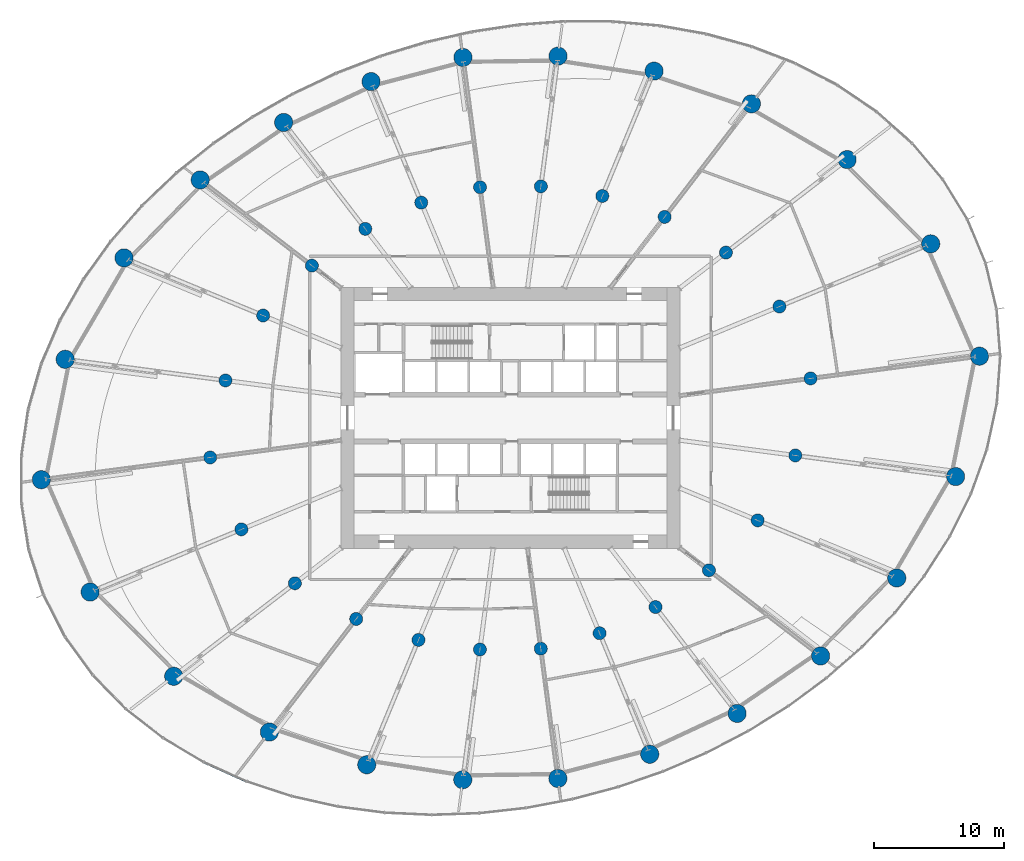
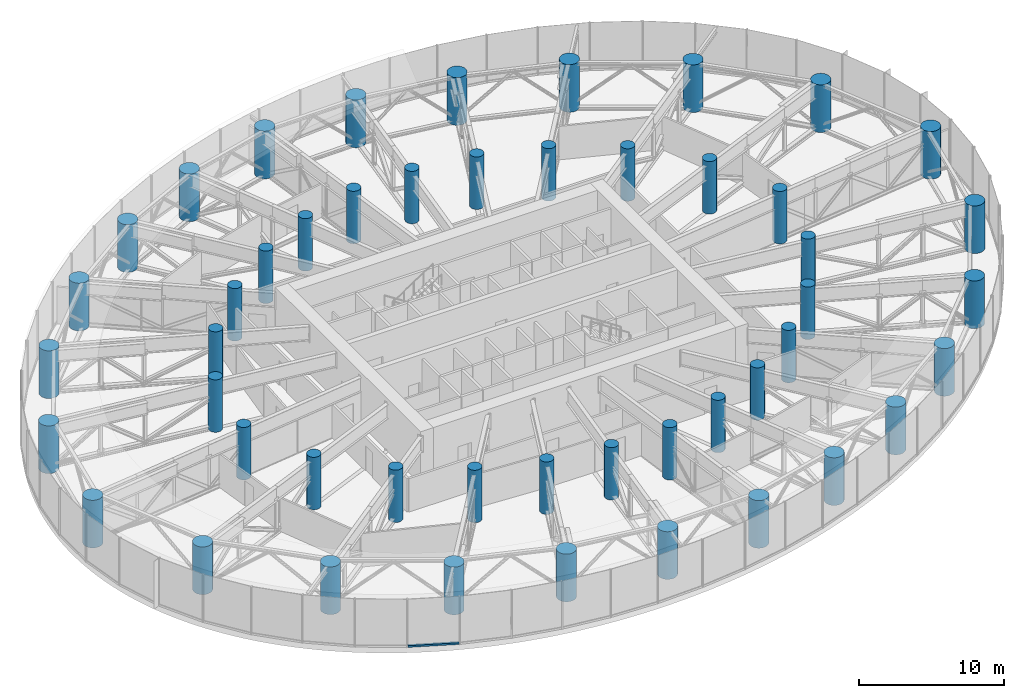
# One storey, part 1 of 42: 48 columns, 1 member, 1 element without a shape of its own.
"""IFC4 building model written with IfcOpenShell, lengths in metres."""

from ifc_helpers import new_model, si_unit, direction, frame, origin, origin_2d, place, context, subcontext, project, spatial, rectangle, circle, extrude, source, transform, mapped, material, layer, layer_set, material_profile, profile_set, type_object, element, aggregate, save


model = new_model("IFC4")

# Units and contexts
model_context = context("Model", 3, precision=1e-05, world=origin(), true_north=direction((0.0, 1.0)))
body_context = subcontext(model_context, "Body", "Model", "MODEL_VIEW")
ifc_project = project(units=[si_unit("LENGTHUNIT", "METRE"), si_unit("AREAUNIT", "SQUARE_METRE"), si_unit("VOLUMEUNIT", "CUBIC_METRE"), si_unit("PLANEANGLEUNIT", "RADIAN"), si_unit("MASSUNIT", "GRAM", prefix="KILO")], contexts=[model_context])

# Site, building, storey
site_placement = place(None, origin())
site = spatial("IfcSite", under=ifc_project, at=site_placement, CompositionType="ELEMENT")
building_placement = place(site_placement, origin())
building = spatial("IfcBuilding", under=site, at=building_placement, Name="Spindrift Exchange Tower", CompositionType="ELEMENT")
storey_placement = place(building_placement, frame((0.0, 0.0, 75.39990234375)))
storey = spatial("IfcBuildingStorey", under=building, at=storey_placement, Name="L17", CompositionType="ELEMENT", Elevation=75.39990234375)

# Columns
ifc_material_1 = material(Name="Concrete 80 MPa", Category="concrete")
ifc_material_profile_1 = material_profile(ifc_material_1, circle(Radius=0.5, at=origin_2d()), Name="RC D1000")
ifc_profile_set_1 = profile_set([ifc_material_profile_1], Name="Concrete 80 MPa")
column_type_1 = type_object("IfcColumnType", Name="RC Inner Column D1000 Concrete 80 MPa", PredefinedType="COLUMN", material=ifc_profile_set_1)
shared_shape_1 = source(origin(), body_context, "Body", "SweptSolid", [
    extrude(circle(Radius=0.5, at=origin_2d()), origin(), (0.0, 0.0, 1.0), 4.400146484375),
])
for number, where, z_axis, x_axis, name in (
    (1, (75.033935546875, 51.032470703125, 0.0), (0.0, 0.0, 1.0), (1.0, 0.0, 0.0), "Inner column Q1-01 L17"),
    (2, (72.639404296875, 56.549072265625, 0.0), (0.0, 0.0, 1.0), (1.0, 0.0, 0.0), "Inner column Q1-02 L17"),
    (3, (68.534912109375, 60.6875, 0.0), (0.0, 0.0, 1.0), (1.0, 0.0, 0.0), "Inner column Q1-03 L17"),
    (4, (63.835205078125, 63.423828125, 0.0), (0.0, 0.0, 1.0), (1.0, 0.0, 0.0), "Inner column Q1-04 L17"),
    (5, (59.0546875, 65.03125, 0.0), (0.0, 0.0, 1.0), (1.0, 0.0, 0.0), "Inner column Q1-05 L17"),
    (6, (54.339111328125, 65.767333984375, 0.0), (0.0, 0.0, 1.0), (1.0, 0.0, 0.0), "Inner column Q1-06 L17"),
    (7, (49.669189453125, 65.703125, 0.0), (0.0, 0.0, 1.0), (1.0, 0.0, 0.0), "Inner column Q1-07 L17"),
    (8, (45.158203125, 64.517578125, 0.0), (0.0, 0.0, 1.0), (1.0, 0.0, 0.0), "Inner column Q1-08 L17"),
    (9, (40.8662109375, 62.510009765625, 0.0), (0.0, 0.0, 1.0), (1.0, 0.0, 0.0), "Inner column Q1-09 L17"),
    (10, (36.767578125, 59.688232421875, 0.0), (0.0, 0.0, 1.0), (1.0, 0.0, 0.0), "Inner column Q1-10 L17"),
    (11, (33.027587890625, 55.858642578125, 0.0), (0.0, 0.0, 1.0), (1.0, 0.0, 0.0), "Inner column Q1-11 L17"),
    (12, (30.13671875, 50.87841796875, 0.0), (0.0, 0.0, 1.0), (1.0, 0.0, 0.0), "Inner column Q1-12 L17"),
    (13, (28.966064453125, 44.967529296875, 0.0), (0.0, 0.0, 1.0), (1.0, 0.0, 0.0), "Inner column Q1-13 L17"),
    (14, (31.360595703125, 39.450927734375, 0.0), (0.0, 0.0, 1.0), (1.0, 0.0, 0.0), "Inner column Q1-14 L17"),
    (15, (35.465087890625, 35.3125, 0.0), (0.0, 0.0, 1.0), (1.0, 0.0, 0.0), "Inner column Q1-15 L17"),
    (16, (40.164794921875, 32.576171875, 0.0), (0.0, 0.0, 1.0), (1.0, 0.0, 0.0), "Inner column Q1-16 L17"),
    (17, (44.9453125, 30.96875, 0.0), (0.0, 0.0, 1.0), (1.0, 0.0, 0.0), "Inner column Q1-17 L17"),
    (18, (49.660888671875, 30.232666015625, 0.0), (0.0, 0.0, 1.0), (1.0, 0.0, 0.0), "Inner column Q1-18 L17"),
    (19, (54.330810546875, 30.296875, 0.0), (0.0, 0.0, 1.0), (1.0, 0.0, 0.0), "Inner column Q1-19 L17"),
    (20, (58.841796875, 31.482421875, 0.0), (0.0, 0.0, 1.0), (1.0, 0.0, 0.0), "Inner column Q1-20 L17"),
    (21, (63.1337890625, 33.489990234375, 0.0), (0.0, 0.0, 1.0), (1.0, 0.0, 0.0), "Inner column Q1-21 L17"),
    (22, (67.232421875, 36.311767578125, 0.0), (0.0, 0.0, 1.0), (1.0, 0.0, 0.0), "Inner column Q1-22 L17"),
    (23, (70.972412109375, 40.141357421875, 0.0), (0.0, 0.0, 1.0), (1.0, 0.0, 0.0), "Inner column Q1-23 L17"),
    (24, (73.86328125, 45.12158203125, 0.0), (0.0, 0.0, 1.0), (1.0, 0.0, 0.0), "Inner column Q1-24 L17"),
):
    element("IfcColumn", number, at=place(storey_placement, frame(where, z_axis=z_axis, x_axis=x_axis)), inside=storey, type_object=column_type_1, Name=name, PredefinedType="COLUMN", context=body_context, shape_type="MappedRepresentation", body=[
        mapped(shared_shape_1, transform((0.0, 0.0, 0.0), scale=1.0)),
    ])
ifc_material_profile_2 = material_profile(ifc_material_1, circle(Radius=0.699951171875, at=origin_2d()), Name="RC D1400")
ifc_profile_set_2 = profile_set([ifc_material_profile_2], Name="Concrete 80 MPa")
column_type_2 = type_object("IfcColumnType", Name="RC Perimeter Column D1400 Concrete 80 MPa", PredefinedType="COLUMN", material=ifc_profile_set_2)
shared_shape_2 = source(origin(), body_context, "Body", "SweptSolid", [
    extrude(circle(Radius=0.699951171875, at=origin_2d()), origin(), (0.0, 0.0, 1.0), 4.0),
])
for number, where, z_axis, x_axis, name in (
    (25, (87.990478515625, 52.73828125, 0.0), (0.0, 0.0, 1.0), (1.0, 0.0, 0.0), "Perimeter column P1-01 L17"),
    (26, (84.248779296875, 61.35791015625, 0.0), (0.0, 0.0, 1.0), (1.0, 0.0, 0.0), "Perimeter column P1-02 L17"),
    (27, (77.835693359375, 67.82421875, 0.0), (0.0, 0.0, 1.0), (1.0, 0.0, 0.0), "Perimeter column P1-03 L17"),
    (28, (70.4921875, 72.099609375, 0.0), (0.0, 0.0, 1.0), (1.0, 0.0, 0.0), "Perimeter column P1-04 L17"),
    (29, (63.022705078125, 74.611328125, 0.0), (0.0, 0.0, 1.0), (1.0, 0.0, 0.0), "Perimeter column P1-05 L17"),
    (30, (55.65478515625, 75.761474609375, 0.0), (0.0, 0.0, 1.0), (1.0, 0.0, 0.0), "Perimeter column P1-06 L17"),
    (31, (48.3583984375, 75.661376953125, 0.0), (0.0, 0.0, 1.0), (1.0, 0.0, 0.0), "Perimeter column P1-07 L17"),
    (32, (41.309814453125, 73.80859375, 0.0), (0.0, 0.0, 1.0), (1.0, 0.0, 0.0), "Perimeter column P1-08 L17"),
    (33, (34.603515625, 70.671630859375, 0.0), (0.0, 0.0, 1.0), (1.0, 0.0, 0.0), "Perimeter column P1-09 L17"),
    (34, (28.199462890625, 66.2626953125, 0.0), (0.0, 0.0, 1.0), (1.0, 0.0, 0.0), "Perimeter column P1-10 L17"),
    (35, (22.35546875, 60.279296875, 0.0), (0.0, 0.0, 1.0), (1.0, 0.0, 0.0), "Perimeter column P1-11 L17"),
    (36, (17.8388671875, 52.497314453125, 0.0), (0.0, 0.0, 1.0), (1.0, 0.0, 0.0), "Perimeter column P1-12 L17"),
    (37, (16.009521484375, 43.26171875, 0.0), (0.0, 0.0, 1.0), (1.0, 0.0, 0.0), "Perimeter column P1-13 L17"),
    (38, (19.751220703125, 34.64208984375, 0.0), (0.0, 0.0, 1.0), (1.0, 0.0, 0.0), "Perimeter column P1-14 L17"),
    (39, (26.164306640625, 28.17578125, 0.0), (0.0, 0.0, 1.0), (1.0, 0.0, 0.0), "Perimeter column P1-15 L17"),
    (40, (33.5078125, 23.900390625, 0.0), (0.0, 0.0, 1.0), (1.0, 0.0, 0.0), "Perimeter column P1-16 L17"),
    (41, (40.977294921875, 21.388671875, 0.0), (0.0, 0.0, 1.0), (1.0, 0.0, 0.0), "Perimeter column P1-17 L17"),
    (42, (48.34521484375, 20.238525390625, 0.0), (0.0, 0.0, 1.0), (1.0, 0.0, 0.0), "Perimeter column P1-18 L17"),
    (43, (55.6416015625, 20.338623046875, 0.0), (0.0, 0.0, 1.0), (1.0, 0.0, 0.0), "Perimeter column P1-19 L17"),
    (44, (62.690185546875, 22.19140625, 0.0), (0.0, 0.0, 1.0), (1.0, 0.0, 0.0), "Perimeter column P1-20 L17"),
    (45, (69.396484375, 25.328369140625, 0.0), (0.0, 0.0, 1.0), (1.0, 0.0, 0.0), "Perimeter column P1-21 L17"),
    (46, (75.800537109375, 29.7373046875, 0.0), (0.0, 0.0, 1.0), (1.0, 0.0, 0.0), "Perimeter column P1-22 L17"),
    (47, (81.64453125, 35.720703125, 0.0), (0.0, 0.0, 1.0), (1.0, 0.0, 0.0), "Perimeter column P1-23 L17"),
    (48, (86.1611328125, 43.502685546875, 0.0), (0.0, 0.0, 1.0), (1.0, 0.0, 0.0), "Perimeter column P1-24 L17"),
):
    element("IfcColumn", number, at=place(storey_placement, frame(where, z_axis=z_axis, x_axis=x_axis)), inside=storey, type_object=column_type_2, Name=name, PredefinedType="COLUMN", context=body_context, shape_type="MappedRepresentation", body=[
        mapped(shared_shape_2, transform((0.0, 0.0, 0.0), scale=1.0)),
    ])

# Curtain wall, member
ifc_material_2 = material(Name="Fritted laminated glass with bronze frame", Category="glass")
ifc_layer = layer(ifc_material_2, 0.199951171875)
ifc_layer_set = layer_set([ifc_layer], Name="ZONE 1 BRONZE FRITTED WALL")
curtain_wall_type = type_object("IfcCurtainWallType", Name="ZONE 1 BRONZE FRITTED WALL", PredefinedType="NOTDEFINED", material=ifc_layer_set)
curtain_wall_placement = place(storey_placement, origin())
curtain_wall = element("IfcCurtainWall", 49, at=curtain_wall_placement, inside=storey, type_object=curtain_wall_type, Name="L17 Zone 1 Bronze Fritted Wall run 6", PredefinedType="NOTDEFINED")
ifc_material_3 = material(Name="Bronze anodised aluminium", Category="aluminium")
ifc_material_profile_3 = material_profile(ifc_material_3, rectangle(XDim=0.179931640625, YDim=0.14990234375, at=origin_2d()), Name="ZONE 1 BRONZE FRITTED WALL TRANSOM 180X150")
ifc_profile_set_3 = profile_set([ifc_material_profile_3], Name="Bronze anodised aluminium")
member_type = type_object("IfcMemberType", Name="ZONE 1 BRONZE FRITTED WALL TRANSOM 180X150", PredefinedType="USERDEFINED", material=ifc_profile_set_3)
shared_shape_3 = source(origin(), body_context, "Body", "SweptSolid", [
    extrude(rectangle(XDim=0.179931640625, YDim=0.14990234375, at=origin_2d()), origin(), (0.0, 0.0, 1.0), 3.54638671875),
])
member_placement = place(storey_placement, frame((28.498046875, 21.57275390625, 0.0751953125), z_axis=(0.91214034914, -0.409878010474, 0.0), x_axis=(0.409878010474, 0.91214034914, 0.0)))
member = element("IfcMember", 50, at=member_placement, type_object=member_type, Name="L17 transom CW-1.36", ObjectType="TRANSOM", PredefinedType="USERDEFINED", context=body_context, shape_type="MappedRepresentation", body=[
    mapped(shared_shape_3, transform((0.0, 0.0, 0.0), scale=1.0)),
])
aggregate(curtain_wall, [member])

save(model, "model.ifc")
